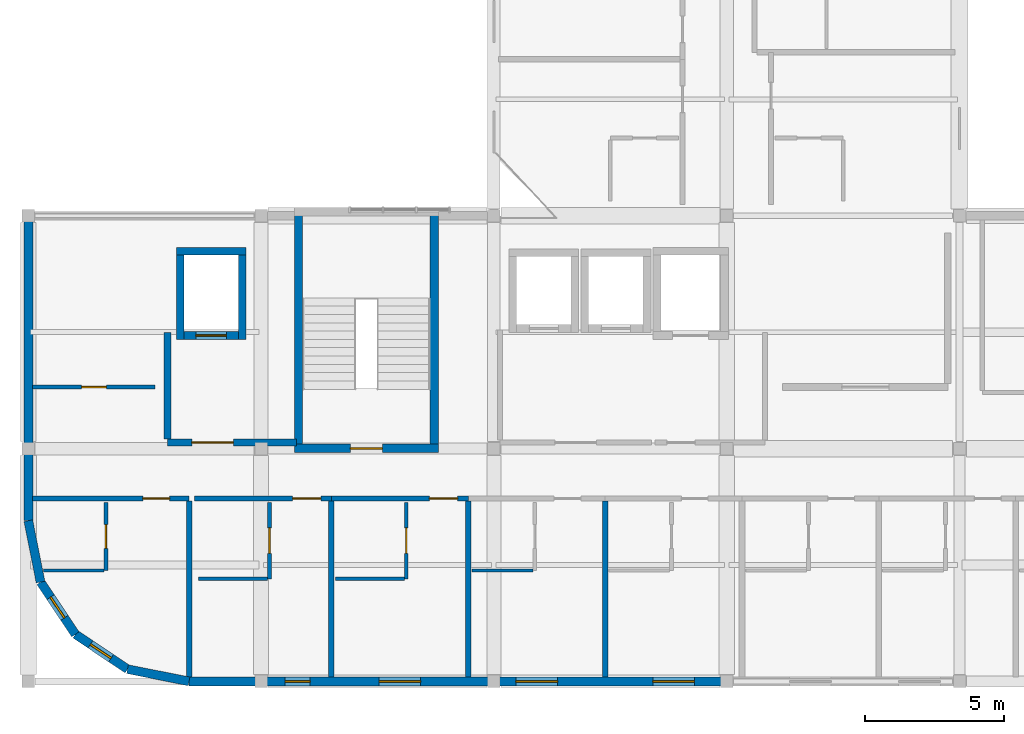
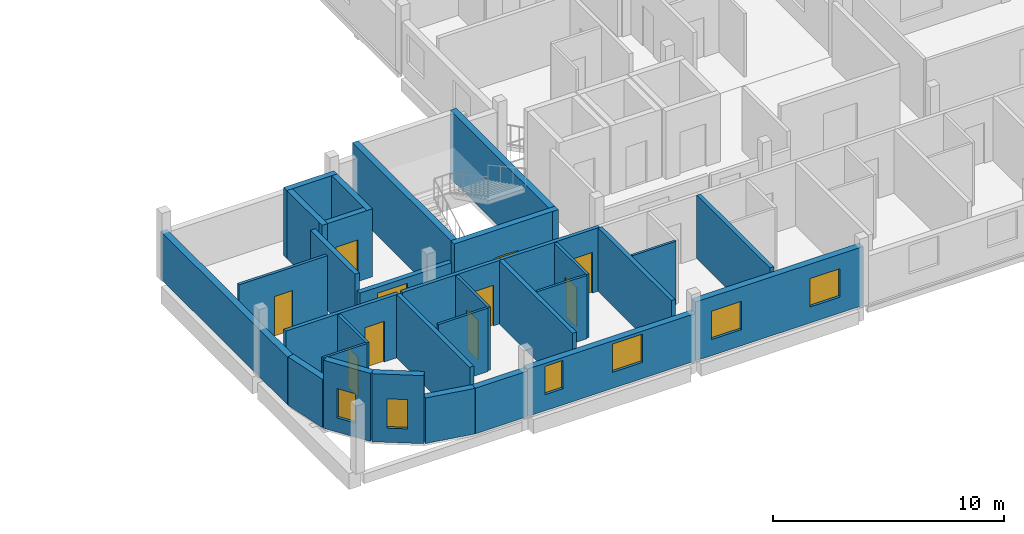
# One storey, part 9 of 19: 32 walls, 10 doors, 6 windows, 16 openings.
"""IFC4 building model written with IfcOpenShell, lengths in metres."""

from ifc_helpers import new_model, si_unit, derived_unit, direction, frame, frame_2d, origin, place, context, subcontext, project, spatial, rectangle, extrude, material, layer, layer_set, type_object, element, fill, save


model = new_model("IFC4")

# Units and contexts
model_context = context("Model", 3, precision=1e-05, world=origin(), true_north=direction((0.0, 1.0)))
body_context = subcontext(model_context, "Body", "Model", "MODEL_VIEW")
ifc_project = project(units=[si_unit("LENGTHUNIT", "METRE"), si_unit("AREAUNIT", "SQUARE_METRE"), si_unit("VOLUMEUNIT", "CUBIC_METRE"), si_unit("PLANEANGLEUNIT", "RADIAN"), si_unit("MASSUNIT", "GRAM", prefix="KILO"), derived_unit("THERMALTRANSMITTANCEUNIT", [(si_unit("POWERUNIT", "WATT"), 1), (si_unit("LENGTHUNIT", "METRE"), -2), (si_unit("THERMODYNAMICTEMPERATUREUNIT", "KELVIN"), -1)])], contexts=[model_context])

# Site, building, storey
site_placement = place(None, origin())
site = spatial("IfcSite", under=ifc_project, at=site_placement, CompositionType="ELEMENT")
building_placement = place(site_placement, origin())
building = spatial("IfcBuilding", under=site, at=building_placement, Name="Barrovel Congress Hotel", CompositionType="ELEMENT")
storey_placement = place(building_placement, frame((0.0, 0.0, 43.5)))
storey = spatial("IfcBuildingStorey", under=building, at=storey_placement, Name="L11", CompositionType="ELEMENT", Elevation=43.5)

# Wall
ifc_material_1 = material(Name="Fired Clay Brick Masonry", Category="masonry")
ifc_layer_1 = layer(ifc_material_1, 0.320068359375)
ifc_layer_set_1 = layer_set([ifc_layer_1], Name="Fired Clay Brick Masonry")
wall_type_1 = type_object("IfcWallType", Name="EW-BRK320", PredefinedType="STANDARD", material=ifc_layer_set_1)
wall_1_placement = place(storey_placement, frame((16.800048828125, 10.0, 0.0), z_axis=(0.0, 0.0, 1.0), x_axis=(0.195057908159, -0.980791727363, 0.0)))
element("IfcWall", 1, at=wall_1_placement, inside=storey, type_object=wall_type_1, Name="EW:L11:PROW-1", PredefinedType="STANDARD", context=body_context, shape_type="SweptSolid", body=[
    extrude(rectangle(XDim=2.262939453125, YDim=0.320068359375, at=frame_2d((1.13134765625, 0.0))), origin(), (0.0, 0.0, 1.0), 2.56005859375),
])

# Wall, opening, window
wall_2_placement = place(storey_placement, frame((17.241455078125, 7.780517578125, 0.0), z_axis=(0.0, 0.0, 1.0), x_axis=(0.555546297918, -0.831485604728, 0.0)))
wall_2 = element("IfcWall", 2, at=wall_2_placement, inside=storey, type_object=wall_type_1, Name="EW:L11:PROW-2", PredefinedType="STANDARD", context=body_context, shape_type="SweptSolid", body=[
    extrude(rectangle(XDim=2.26318359375, YDim=0.320068359375, at=frame_2d((1.131591796875, 0.0))), origin(), (0.0, 0.0, 1.0), 3.60009765625),
])
opening_1_placement = place(wall_2_placement, frame((0.64990234375, 0.0, 0.75)))
opening_1 = element("IfcOpeningElement", 3, at=opening_1_placement, cuts=wall_2, Name="Opening WN-11", PredefinedType="OPENING", context=body_context, shape_type="SweptSolid", body=[
    extrude(rectangle(XDim=0.89990234375, YDim=1.550048828125, at=frame_2d((0.449951171875, 0.77490234375))), frame((0.0, 0.169921875, 0.0), z_axis=(0.0, -1.0, 0.0), x_axis=(1.0, 0.0, 0.0)), (0.0, 0.0, 1.0), 0.340087890625),
])
ifc_material_2 = material(Name="Double Low-E Insulated Glazing", Category="glass")
window_type_1 = type_object("IfcWindowType", Name="WIN-WN-11", PartitioningType="SINGLE_PANEL", PredefinedType="WINDOW", material=ifc_material_2)
window_1_placement = place(opening_1_placement, origin())
window_1 = element("IfcWindow", 4, at=window_1_placement, inside=storey, type_object=window_type_1, Name="WIN:L11:PROW-2", OverallHeight=1.550048828125, OverallWidth=0.89990234375, PartitioningType="SINGLE_PANEL", PredefinedType="WINDOW", context=body_context, shape_type="SweptSolid", body=[
    extrude(rectangle(XDim=0.89990234375, YDim=1.550048828125, at=frame_2d((0.449951171875, 0.77490234375))), frame((0.0, 0.030029296875, 0.0), z_axis=(0.0, -1.0, 0.0), x_axis=(1.0, 0.0, 0.0)), (0.0, 0.0, 1.0), 0.06005859375),
])
fill(opening_1, window_1)

wall_3_placement = place(storey_placement, frame((18.498779296875, 5.898681640625, 0.0), z_axis=(0.0, 0.0, 1.0), x_axis=(0.831502143458, -0.555521543618, 0.0)))
wall_3 = element("IfcWall", 5, at=wall_3_placement, inside=storey, type_object=wall_type_1, Name="EW:L11:PROW-3", PredefinedType="STANDARD", context=body_context, shape_type="SweptSolid", body=[
    extrude(rectangle(XDim=2.262939453125, YDim=0.320068359375, at=frame_2d((1.13134765625, 0.0))), origin(), (0.0, 0.0, 1.0), 3.60009765625),
])
opening_2_placement = place(wall_3_placement, frame((0.64990234375, 0.0, 0.75)))
opening_2 = element("IfcOpeningElement", 6, at=opening_2_placement, cuts=wall_3, Name="Opening WN-11", PredefinedType="OPENING", context=body_context, shape_type="SweptSolid", body=[
    extrude(rectangle(XDim=0.89990234375, YDim=1.550048828125, at=frame_2d((0.449951171875, 0.77490234375))), frame((0.0, 0.169921875, 0.0), z_axis=(0.0, -1.0, 0.0), x_axis=(1.0, 0.0, 0.0)), (0.0, 0.0, 1.0), 0.340087890625),
])
window_2_placement = place(opening_2_placement, origin())
window_2 = element("IfcWindow", 7, at=window_2_placement, inside=storey, type_object=window_type_1, Name="WIN:L11:PROW-3", OverallHeight=1.550048828125, OverallWidth=0.89990234375, PartitioningType="SINGLE_PANEL", PredefinedType="WINDOW", context=body_context, shape_type="SweptSolid", body=[
    extrude(rectangle(XDim=0.89990234375, YDim=1.550048828125, at=frame_2d((0.449951171875, 0.77490234375))), frame((0.0, 0.030029296875, 0.0), z_axis=(0.0, -1.0, 0.0), x_axis=(1.0, 0.0, 0.0)), (0.0, 0.0, 1.0), 0.06005859375),
])
fill(opening_2, window_2)

# Walls
wall_4_placement = place(storey_placement, frame((20.38037109375, 4.6416015625, 0.0), z_axis=(0.0, 0.0, 1.0), x_axis=(0.98077519094, -0.195141038321, 0.0)))
element("IfcWall", 8, at=wall_4_placement, inside=storey, type_object=wall_type_1, Name="EW:L11:PROW-4", PredefinedType="STANDARD", context=body_context, shape_type="SweptSolid", body=[
    extrude(rectangle(XDim=2.26318359375, YDim=0.320068359375, at=frame_2d((1.131591796875, 0.0))), origin(), (0.0, 0.0, 1.0), 2.409912109375),
])
wall_5_placement = place(storey_placement, frame((16.800048828125, 21.0, 0.0), z_axis=(0.0, 0.0, 1.0), x_axis=(0.0, -1.0, 0.0)))
element("IfcWall", 9, at=wall_5_placement, inside=storey, type_object=wall_type_1, Name="EW:L11:HS-SW", PredefinedType="STANDARD", context=body_context, shape_type="SweptSolid", body=[
    extrude(rectangle(XDim=11.0, YDim=0.320068359375, at=frame_2d((5.5, 0.0))), origin(), (0.0, 0.0, 1.0), 2.510009765625),
])
wall_6_placement = place(storey_placement, frame((22.60009765625, 4.199951171875, 0.0), z_axis=(0.0, 0.0, 1.0), x_axis=(1.0, 0.0, 0.0)))
element("IfcWall", 10, at=wall_6_placement, inside=storey, type_object=wall_type_1, Name="EW:L11:HS-S:P01", PredefinedType="STANDARD", context=body_context, shape_type="SweptSolid", body=[
    extrude(rectangle(XDim=2.599853515625, YDim=0.320068359375, at=frame_2d((1.2998046875, 0.0))), origin(), (0.0, 0.0, 1.0), 2.409912109375),
])

# Wall, openings, windows
wall_7_placement = place(storey_placement, frame((25.199951171875, 4.199951171875, 0.0), z_axis=(0.0, 0.0, 1.0), x_axis=(1.0, 0.0, 0.0)))
wall_7 = element("IfcWall", 11, at=wall_7_placement, inside=storey, type_object=wall_type_1, Name="EW:L11:HS-S:P02", PredefinedType="STANDARD", context=body_context, shape_type="SweptSolid", body=[
    extrude(rectangle(XDim=8.400146484375, YDim=0.320068359375, at=frame_2d((4.2001953125, 0.0))), origin(), (0.0, 0.0, 1.0), 2.510009765625),
])
opening_3_placement = place(wall_7_placement, frame((0.868896484375, 0.0, 0.85009765625)))
opening_3 = element("IfcOpeningElement", 12, at=opening_3_placement, cuts=wall_7, Name="Opening WN-11", PredefinedType="OPENING", context=body_context, shape_type="SweptSolid", body=[
    extrude(rectangle(XDim=0.89990234375, YDim=1.5, at=frame_2d((0.449951171875, 0.75))), frame((0.0, 0.169921875, 0.0), z_axis=(0.0, -1.0, 0.0), x_axis=(1.0, 0.0, 0.0)), (0.0, 0.0, 1.0), 0.340087890625),
])
opening_4_placement = place(wall_7_placement, frame((4.256103515625, 0.0, 0.85009765625)))
opening_4 = element("IfcOpeningElement", 13, at=opening_4_placement, cuts=wall_7, Name="Opening WN-07", PredefinedType="OPENING", context=body_context, shape_type="SweptSolid", body=[
    extrude(rectangle(XDim=1.5, YDim=1.5, at=frame_2d((0.75, 0.75))), frame((0.0, 0.169921875, 0.0), z_axis=(0.0, -1.0, 0.0), x_axis=(1.0, 0.0, 0.0)), (0.0, 0.0, 1.0), 0.340087890625),
])
window_type_2 = type_object("IfcWindowType", Name="WIN-WN-07", PartitioningType="SINGLE_PANEL", PredefinedType="WINDOW", material=ifc_material_2)
window_3_placement = place(opening_4_placement, origin())
window_3 = element("IfcWindow", 14, at=window_3_placement, inside=storey, type_object=window_type_2, Name="WIN:L11:U03", OverallHeight=1.5, OverallWidth=1.5, PartitioningType="SINGLE_PANEL", PredefinedType="WINDOW", context=body_context, shape_type="SweptSolid", body=[
    extrude(rectangle(XDim=1.5, YDim=1.5, at=frame_2d((0.75, 0.75))), frame((0.0, 0.030029296875, 0.0), z_axis=(0.0, -1.0, 0.0), x_axis=(1.0, 0.0, 0.0)), (0.0, 0.0, 1.0), 0.06005859375),
])
fill(opening_4, window_3)
window_4_placement = place(opening_3_placement, origin())
window_4 = element("IfcWindow", 15, at=window_4_placement, inside=storey, type_object=window_type_1, Name="WIN:L11:U02", OverallHeight=1.5, OverallWidth=0.89990234375, PartitioningType="SINGLE_PANEL", PredefinedType="WINDOW", context=body_context, shape_type="SweptSolid", body=[
    extrude(rectangle(XDim=0.89990234375, YDim=1.5, at=frame_2d((0.449951171875, 0.75))), frame((0.0, 0.030029296875, 0.0), z_axis=(0.0, -1.0, 0.0), x_axis=(1.0, 0.0, 0.0)), (0.0, 0.0, 1.0), 0.06005859375),
])
fill(opening_3, window_4)

wall_8_placement = place(storey_placement, frame((33.60009765625, 4.199951171875, 0.0), z_axis=(0.0, 0.0, 1.0), x_axis=(1.0, 0.0, 0.0)))
wall_8 = element("IfcWall", 16, at=wall_8_placement, inside=storey, type_object=wall_type_1, Name="EW:L11:HS-S:P03", PredefinedType="STANDARD", context=body_context, shape_type="SweptSolid", body=[
    extrude(rectangle(XDim=8.39990234375, YDim=0.320068359375, at=frame_2d((4.199951171875, 0.0))), origin(), (0.0, 0.0, 1.0), 3.113037109375),
])
opening_5_placement = place(wall_8_placement, frame((0.793701171875, 0.0, 0.85009765625)))
opening_5 = element("IfcOpeningElement", 17, at=opening_5_placement, cuts=wall_8, Name="Opening WN-07", PredefinedType="OPENING", context=body_context, shape_type="SweptSolid", body=[
    extrude(rectangle(XDim=1.5, YDim=1.5, at=frame_2d((0.75, 0.75))), frame((0.0, 0.169921875, 0.0), z_axis=(0.0, -1.0, 0.0), x_axis=(1.0, 0.0, 0.0)), (0.0, 0.0, 1.0), 0.340087890625),
])
opening_6_placement = place(wall_8_placement, frame((5.731201171875, 0.0, 0.85009765625)))
opening_6 = element("IfcOpeningElement", 18, at=opening_6_placement, cuts=wall_8, Name="Opening WN-07", PredefinedType="OPENING", context=body_context, shape_type="SweptSolid", body=[
    extrude(rectangle(XDim=1.5, YDim=1.5, at=frame_2d((0.75, 0.75))), frame((0.0, 0.169921875, 0.0), z_axis=(0.0, -1.0, 0.0), x_axis=(1.0, 0.0, 0.0)), (0.0, 0.0, 1.0), 0.340087890625),
])
window_5_placement = place(opening_5_placement, origin())
window_5 = element("IfcWindow", 19, at=window_5_placement, inside=storey, type_object=window_type_2, Name="WIN:L11:U04", OverallHeight=1.5, OverallWidth=1.5, PartitioningType="SINGLE_PANEL", PredefinedType="WINDOW", context=body_context, shape_type="SweptSolid", body=[
    extrude(rectangle(XDim=1.5, YDim=1.5, at=frame_2d((0.75, 0.75))), frame((0.0, 0.030029296875, 0.0), z_axis=(0.0, -1.0, 0.0), x_axis=(1.0, 0.0, 0.0)), (0.0, 0.0, 1.0), 0.06005859375),
])
fill(opening_5, window_5)
window_6_placement = place(opening_6_placement, origin())
window_6 = element("IfcWindow", 20, at=window_6_placement, inside=storey, type_object=window_type_2, Name="WIN:L11:U05", OverallHeight=1.5, OverallWidth=1.5, PartitioningType="SINGLE_PANEL", PredefinedType="WINDOW", context=body_context, shape_type="SweptSolid", body=[
    extrude(rectangle(XDim=1.5, YDim=1.5, at=frame_2d((0.75, 0.75))), frame((0.0, 0.030029296875, 0.0), z_axis=(0.0, -1.0, 0.0), x_axis=(1.0, 0.0, 0.0)), (0.0, 0.0, 1.0), 0.06005859375),
])
fill(opening_6, window_6)

# Wall, opening, door
ifc_material_3 = material(Name="Gypsum Acoustic Stud", Category="gypsum")
ifc_layer_2 = layer(ifc_material_3, 0.179931640625)
ifc_layer_set_2 = layer_set([ifc_layer_2], Name="Gypsum Acoustic Stud")
wall_type_2 = type_object("IfcWallType", Name="PW-ACU-180", PredefinedType="PARTITIONING", material=ifc_layer_set_2)
wall_9_placement = place(storey_placement, frame((16.9599609375, 10.800048828125, 0.0), z_axis=(0.0, 0.0, 1.0), x_axis=(1.0, 0.0, 0.0)))
wall_9 = element("IfcWall", 21, at=wall_9_placement, inside=storey, type_object=wall_type_2, Name="PW:L11:U01:COR", PredefinedType="PARTITIONING", context=body_context, shape_type="SweptSolid", body=[
    extrude(rectangle(XDim=5.64013671875, YDim=0.179931640625, at=frame_2d((2.820068359375, 0.0))), origin(), (0.0, 0.0, 1.0), 3.35498046875),
])
opening_7_placement = place(wall_9_placement, frame((3.97509765625, 0.0, 0.0)))
opening_7 = element("IfcOpeningElement", 22, at=opening_7_placement, cuts=wall_9, Name="Opening ID-HTL", PredefinedType="OPENING", context=body_context, shape_type="SweptSolid", body=[
    extrude(rectangle(XDim=0.9599609375, YDim=2.14990234375, at=frame_2d((0.47998046875, 1.074951171875))), frame((0.0, 0.10009765625, 0.0), z_axis=(0.0, -1.0, 0.0), x_axis=(1.0, 0.0, 0.0)), (0.0, 0.0, 1.0), 0.199951171875),
])
ifc_material_4 = material(Name="Solid Oak Acoustic Timber Door", Category="wood")
door_type_1 = type_object("IfcDoorType", Name="IDR-ID-HTL", OperationType="NOTDEFINED", PredefinedType="DOOR", material=ifc_material_4)
door_1_placement = place(opening_7_placement, origin())
door_1 = element("IfcDoor", 23, at=door_1_placement, inside=storey, type_object=door_type_1, Name="DR:L11:U01:ENT", OperationType="SINGLE_SWING_RIGHT", OverallHeight=2.14990234375, OverallWidth=0.9599609375, PredefinedType="DOOR", context=body_context, shape_type="SweptSolid", body=[
    extrude(rectangle(XDim=0.9599609375, YDim=2.14990234375, at=frame_2d((0.47998046875, 1.074951171875))), frame((0.0, 0.02490234375, 0.0), z_axis=(0.0, -1.0, 0.0), x_axis=(1.0, 0.0, 0.0)), (0.0, 0.0, 1.0), 0.050048828125),
])
fill(opening_7, door_1)

wall_10_placement = place(storey_placement, frame((22.800048828125, 10.800048828125, 0.0), z_axis=(0.0, 0.0, 1.0), x_axis=(1.0, 0.0, 0.0)))
wall_10 = element("IfcWall", 24, at=wall_10_placement, inside=storey, type_object=wall_type_2, Name="PW:L11:U02:COR", PredefinedType="PARTITIONING", context=body_context, shape_type="SweptSolid", body=[
    extrude(rectangle(XDim=4.9375, YDim=0.179931640625, at=frame_2d((2.46875, 0.0))), origin(), (0.0, 0.0, 1.0), 3.35498046875),
])
opening_8_placement = place(wall_10_placement, frame((3.5322265625, 0.0, 0.0)))
opening_8 = element("IfcOpeningElement", 25, at=opening_8_placement, cuts=wall_10, Name="Opening ID-ACC", PredefinedType="OPENING", context=body_context, shape_type="SweptSolid", body=[
    extrude(rectangle(XDim=1.02001953125, YDim=2.14990234375, at=frame_2d((0.510009765625, 1.074951171875))), frame((0.0, 0.10009765625, 0.0), z_axis=(0.0, -1.0, 0.0), x_axis=(1.0, 0.0, 0.0)), (0.0, 0.0, 1.0), 0.199951171875),
])
door_type_2 = type_object("IfcDoorType", Name="IDR-ID-ACC", OperationType="NOTDEFINED", PredefinedType="DOOR", material=ifc_material_4)
door_2_placement = place(opening_8_placement, origin())
door_2 = element("IfcDoor", 26, at=door_2_placement, inside=storey, type_object=door_type_2, Name="DR:L11:U02:ENT", OperationType="SINGLE_SWING_RIGHT", OverallHeight=2.14990234375, OverallWidth=1.02001953125, PredefinedType="DOOR", context=body_context, shape_type="SweptSolid", body=[
    extrude(rectangle(XDim=1.02001953125, YDim=2.14990234375, at=frame_2d((0.510009765625, 1.074951171875))), frame((0.0, 0.02490234375, 0.0), z_axis=(0.0, -1.0, 0.0), x_axis=(1.0, 0.0, 0.0)), (0.0, 0.0, 1.0), 0.050048828125),
])
fill(opening_8, door_2)

wall_11_placement = place(storey_placement, frame((27.737548828125, 10.800048828125, 0.0), z_axis=(0.0, 0.0, 1.0), x_axis=(1.0, 0.0, 0.0)))
wall_11 = element("IfcWall", 27, at=wall_11_placement, inside=storey, type_object=wall_type_2, Name="PW:L11:U03:COR", PredefinedType="PARTITIONING", context=body_context, shape_type="SweptSolid", body=[
    extrude(rectangle(XDim=4.9375, YDim=0.179931640625, at=frame_2d((2.46875, 0.0))), origin(), (0.0, 0.0, 1.0), 3.35498046875),
])
opening_9_placement = place(wall_11_placement, frame((3.5322265625, 0.0, 0.0)))
opening_9 = element("IfcOpeningElement", 28, at=opening_9_placement, cuts=wall_11, Name="Opening ID-ACC", PredefinedType="OPENING", context=body_context, shape_type="SweptSolid", body=[
    extrude(rectangle(XDim=1.02001953125, YDim=2.14990234375, at=frame_2d((0.510009765625, 1.074951171875))), frame((0.0, 0.10009765625, 0.0), z_axis=(0.0, -1.0, 0.0), x_axis=(1.0, 0.0, 0.0)), (0.0, 0.0, 1.0), 0.199951171875),
])
door_3_placement = place(opening_9_placement, origin())
door_3 = element("IfcDoor", 29, at=door_3_placement, inside=storey, type_object=door_type_2, Name="DR:L11:U03:ENT", OperationType="SINGLE_SWING_RIGHT", OverallHeight=2.14990234375, OverallWidth=1.02001953125, PredefinedType="DOOR", context=body_context, shape_type="SweptSolid", body=[
    extrude(rectangle(XDim=1.02001953125, YDim=2.14990234375, at=frame_2d((0.510009765625, 1.074951171875))), frame((0.0, 0.02490234375, 0.0), z_axis=(0.0, -1.0, 0.0), x_axis=(1.0, 0.0, 0.0)), (0.0, 0.0, 1.0), 0.050048828125),
])
fill(opening_9, door_3)

# Walls
ifc_layer_3 = layer(ifc_material_3, 0.1201171875)
ifc_layer_set_3 = layer_set([ifc_layer_3], Name="Gypsum Acoustic Stud")
wall_type_3 = type_object("IfcWallType", Name="PW-INT-120", PredefinedType="PARTITIONING", material=ifc_layer_set_3)
wall_12_placement = place(storey_placement, frame((17.340087890625, 8.199951171875, 0.0), z_axis=(0.0, 0.0, 1.0), x_axis=(1.0, 0.0, 0.0)))
element("IfcWall", 30, at=wall_12_placement, inside=storey, type_object=wall_type_3, Name="PW:L11:U01:B2", PredefinedType="PARTITIONING", context=body_context, shape_type="SweptSolid", body=[
    extrude(rectangle(XDim=2.18994140625, YDim=0.1201171875, at=frame_2d((1.094970703125, 0.0))), origin(), (0.0, 0.0, 1.0), 3.35498046875),
])
for number, where, z_axis, x_axis, name in (
    (31, (22.93994140625, 7.89990234375, 0.0), (0.0, 0.0, 1.0), (1.0, 0.0, 0.0), "PW:L11:U02:B2"),
    (32, (27.87744140625, 7.89990234375, 0.0), (0.0, 0.0, 1.0), (1.0, 0.0, 0.0), "PW:L11:U03:B2"),
):
    element("IfcWall", number, at=place(storey_placement, frame(where, z_axis=z_axis, x_axis=x_axis)), inside=storey, type_object=wall_type_3, Name=name, PredefinedType="PARTITIONING", context=body_context, shape_type="SweptSolid", body=[
        extrude(rectangle(XDim=2.489990234375, YDim=0.1201171875, at=frame_2d((1.2451171875, 0.0))), origin(), (0.0, 0.0, 1.0), 3.35498046875),
    ])
wall_13_placement = place(storey_placement, frame((32.81494140625, 8.199951171875, 0.0), z_axis=(0.0, 0.0, 1.0), x_axis=(1.0, 0.0, 0.0)))
element("IfcWall", 33, at=wall_13_placement, inside=storey, type_object=wall_type_3, Name="PW:L11:U04:B2", PredefinedType="PARTITIONING", context=body_context, shape_type="SweptSolid", body=[
    extrude(rectangle(XDim=2.18994140625, YDim=0.1201171875, at=frame_2d((1.094970703125, 0.0))), origin(), (0.0, 0.0, 1.0), 3.35498046875),
])
ifc_layer_4 = layer(ifc_material_1, 0.199951171875)
ifc_layer_set_4 = layer_set([ifc_layer_4], Name="Fired Clay Brick Masonry")
wall_type_4 = type_object("IfcWallType", Name="PW-MAS-200", PredefinedType="PARTITIONING", material=ifc_layer_set_4)
for number, where, z_axis, x_axis, name in (
    (34, (22.60009765625, 4.360107421875, 0.0), (0.0, 0.0, 1.0), (0.0, 1.0, 0.0), "PW:L11:U01:DEM"),
    (35, (27.737548828125, 4.360107421875, 0.0), (0.0, 0.0, 1.0), (0.0, 1.0, 0.0), "PW:L11:U02:DEM"),
    (36, (32.675048828125, 4.360107421875, 0.0), (0.0, 0.0, 1.0), (0.0, 1.0, 0.0), "PW:L11:U03:DEM"),
    (37, (37.612548828125, 4.360107421875, 0.0), (0.0, 0.0, 1.0), (0.0, 1.0, 0.0), "PW:L11:U04:DEM"),
):
    element("IfcWall", number, at=place(storey_placement, frame(where, z_axis=z_axis, x_axis=x_axis)), inside=storey, type_object=wall_type_4, Name=name, PredefinedType="PARTITIONING", context=body_context, shape_type="SweptSolid", body=[
        extrude(rectangle(XDim=6.349853515625, YDim=0.199951171875, at=frame_2d((3.1748046875, 0.0))), origin(), (0.0, 0.0, 1.0), 3.35498046875),
    ])

# Wall, opening, door
ifc_layer_5 = layer(ifc_material_1, 0.239990234375)
ifc_layer_set_5 = layer_set([ifc_layer_5], Name="Fired Clay Brick Masonry")
wall_type_5 = type_object("IfcWallType", Name="PW-MAS-240", PredefinedType="PARTITIONING", material=ifc_layer_set_5)
wall_14_placement = place(storey_placement, frame((21.820068359375, 12.820068359375, 0.0), z_axis=(0.0, 0.0, 1.0), x_axis=(1.0, 0.0, 0.0)))
wall_14 = element("IfcWall", 38, at=wall_14_placement, inside=storey, type_object=wall_type_5, Name="RW:SP:L11:FFL-1:S", PredefinedType="PARTITIONING", context=body_context, shape_type="SweptSolid", body=[
    extrude(rectangle(XDim=4.659912109375, YDim=0.239990234375, at=frame_2d((2.330078125, 0.0))), origin(), (0.0, 0.0, 1.0), 2.4599609375),
])
opening_10_placement = place(wall_14_placement, frame((0.8798828125, 0.0, 0.0)))
opening_10 = element("IfcOpeningElement", 39, at=opening_10_placement, cuts=wall_14, Name="Opening ID-FFL", PredefinedType="OPENING", context=body_context, shape_type="SweptSolid", body=[
    extrude(rectangle(XDim=1.5, YDim=2.14990234375, at=frame_2d((0.75, 1.074951171875))), frame((0.0, 0.1298828125, 0.0), z_axis=(0.0, -1.0, 0.0), x_axis=(1.0, 0.0, 0.0)), (0.0, 0.0, 1.0), 0.260009765625),
])
ifc_material_5 = material(Name="Painted Hollow-Metal Steel Door", Category="steel")
door_type_3 = type_object("IfcDoorType", Name="IDR-ID-FFL", OperationType="NOTDEFINED", PredefinedType="DOOR", material=ifc_material_5)
door_4_placement = place(opening_10_placement, origin())
door_4 = element("IfcDoor", 40, at=door_4_placement, inside=storey, type_object=door_type_3, Name="RD:SP:L11:FFL-1", OperationType="DOUBLE_DOOR_SINGLE_SWING", OverallHeight=2.14990234375, OverallWidth=1.5, PredefinedType="DOOR", context=body_context, shape_type="SweptSolid", body=[
    extrude(rectangle(XDim=1.5, YDim=2.14990234375, at=frame_2d((0.75, 1.074951171875))), frame((0.0, 0.02490234375, 0.0), z_axis=(0.0, -1.0, 0.0), x_axis=(1.0, 0.0, 0.0)), (0.0, 0.0, 1.0), 0.050048828125),
])
fill(opening_10, door_4)

# Wall
wall_15_placement = place(storey_placement, frame((21.820068359375, 12.93994140625, 0.0), z_axis=(0.0, 0.0, 1.0), x_axis=(0.0, 1.0, 0.0)))
element("IfcWall", 41, at=wall_15_placement, inside=storey, type_object=wall_type_5, Name="RW:SP:L11:FFL-1:W", PredefinedType="PARTITIONING", context=body_context, shape_type="SweptSolid", body=[
    extrude(rectangle(XDim=3.840087890625, YDim=0.239990234375, at=frame_2d((1.919921875, 0.0))), origin(), (0.0, 0.0, 1.0), 3.35498046875),
])

# Wall, opening, door
ifc_material_6 = material(Name="Gypsum Moisture Board", Category="gypsum")
ifc_layer_6 = layer(ifc_material_6, 0.139892578125)
ifc_layer_set_6 = layer_set([ifc_layer_6], Name="Gypsum Moisture Board")
wall_type_6 = type_object("IfcWallType", Name="PW-WET-140", PredefinedType="PARTITIONING", material=ifc_layer_set_6)
wall_16_placement = place(storey_placement, frame((19.60009765625, 8.199951171875, 0.0), z_axis=(0.0, 0.0, 1.0), x_axis=(0.0, 1.0, 0.0)))
wall_16 = element("IfcWall", 42, at=wall_16_placement, inside=storey, type_object=wall_type_6, Name="PW:L11:U01:B1", PredefinedType="PARTITIONING", context=body_context, shape_type="SweptSolid", body=[
    extrude(rectangle(XDim=2.4599609375, YDim=0.139892578125, at=frame_2d((1.22998046875, 0.0))), origin(), (0.0, 0.0, 1.0), 3.35498046875),
])
opening_11_placement = place(wall_16_placement, frame((0.800048828125, 0.0, 0.0)))
opening_11 = element("IfcOpeningElement", 43, at=opening_11_placement, cuts=wall_16, Name="Opening ID-ENS", PredefinedType="OPENING", context=body_context, shape_type="SweptSolid", body=[
    extrude(rectangle(XDim=0.860107421875, YDim=2.10009765625, at=frame_2d((0.43017578125, 1.050048828125))), frame((0.0, 0.080078125, 0.0), z_axis=(0.0, -1.0, 0.0), x_axis=(1.0, 0.0, 0.0)), (0.0, 0.0, 1.0), 0.159912109375),
])
ifc_material_7 = material(Name="Lacquered Timber Moisture Door", Category="wood")
door_type_4 = type_object("IfcDoorType", Name="IDR-ID-ENS", OperationType="NOTDEFINED", PredefinedType="DOOR", material=ifc_material_7)
door_5_placement = place(opening_11_placement, origin())
door_5 = element("IfcDoor", 44, at=door_5_placement, inside=storey, type_object=door_type_4, Name="DR:L11:U01:ENS", OperationType="SINGLE_SWING_LEFT", OverallHeight=2.10009765625, OverallWidth=0.860107421875, PredefinedType="DOOR", context=body_context, shape_type="SweptSolid", body=[
    extrude(rectangle(XDim=0.860107421875, YDim=2.10009765625, at=frame_2d((0.43017578125, 1.050048828125))), frame((0.0, 0.02490234375, 0.0), z_axis=(0.0, -1.0, 0.0), x_axis=(1.0, 0.0, 0.0)), (0.0, 0.0, 1.0), 0.050048828125),
])
fill(opening_11, door_5)

wall_17_placement = place(storey_placement, frame((25.5, 7.89990234375, 0.0), z_axis=(0.0, 0.0, 1.0), x_axis=(0.0, 1.0, 0.0)))
wall_17 = element("IfcWall", 45, at=wall_17_placement, inside=storey, type_object=wall_type_6, Name="PW:L11:U02:B1", PredefinedType="PARTITIONING", context=body_context, shape_type="SweptSolid", body=[
    extrude(rectangle(XDim=2.760009765625, YDim=0.139892578125, at=frame_2d((1.3798828125, 0.0))), origin(), (0.0, 0.0, 1.0), 3.35498046875),
])
opening_12_placement = place(wall_17_placement, frame((0.919921875, 0.0, 0.0)))
opening_12 = element("IfcOpeningElement", 46, at=opening_12_placement, cuts=wall_17, Name="Opening ID-EA2", PredefinedType="OPENING", context=body_context, shape_type="SweptSolid", body=[
    extrude(rectangle(XDim=0.919921875, YDim=2.10009765625, at=frame_2d((0.4599609375, 1.050048828125))), frame((0.0, 0.080078125, 0.0), z_axis=(0.0, -1.0, 0.0), x_axis=(1.0, 0.0, 0.0)), (0.0, 0.0, 1.0), 0.159912109375),
])
door_type_5 = type_object("IfcDoorType", Name="IDR-ID-EA2", OperationType="NOTDEFINED", PredefinedType="DOOR", material=ifc_material_7)
door_6_placement = place(opening_12_placement, origin())
door_6 = element("IfcDoor", 47, at=door_6_placement, inside=storey, type_object=door_type_5, Name="DR:L11:U02:ENS", OperationType="SINGLE_SWING_LEFT", OverallHeight=2.10009765625, OverallWidth=0.919921875, PredefinedType="DOOR", context=body_context, shape_type="SweptSolid", body=[
    extrude(rectangle(XDim=0.919921875, YDim=2.10009765625, at=frame_2d((0.4599609375, 1.050048828125))), frame((0.0, 0.02490234375, 0.0), z_axis=(0.0, -1.0, 0.0), x_axis=(1.0, 0.0, 0.0)), (0.0, 0.0, 1.0), 0.050048828125),
])
fill(opening_12, door_6)

wall_18_placement = place(storey_placement, frame((30.4375, 7.89990234375, 0.0), z_axis=(0.0, 0.0, 1.0), x_axis=(0.0, 1.0, 0.0)))
wall_18 = element("IfcWall", 48, at=wall_18_placement, inside=storey, type_object=wall_type_6, Name="PW:L11:U03:B1", PredefinedType="PARTITIONING", context=body_context, shape_type="SweptSolid", body=[
    extrude(rectangle(XDim=2.760009765625, YDim=0.139892578125, at=frame_2d((1.3798828125, 0.0))), origin(), (0.0, 0.0, 1.0), 3.35498046875),
])
opening_13_placement = place(wall_18_placement, frame((0.919921875, 0.0, 0.0)))
opening_13 = element("IfcOpeningElement", 49, at=opening_13_placement, cuts=wall_18, Name="Opening ID-EA2", PredefinedType="OPENING", context=body_context, shape_type="SweptSolid", body=[
    extrude(rectangle(XDim=0.919921875, YDim=2.10009765625, at=frame_2d((0.4599609375, 1.050048828125))), frame((0.0, 0.080078125, 0.0), z_axis=(0.0, -1.0, 0.0), x_axis=(1.0, 0.0, 0.0)), (0.0, 0.0, 1.0), 0.159912109375),
])
door_7_placement = place(opening_13_placement, origin())
door_7 = element("IfcDoor", 50, at=door_7_placement, inside=storey, type_object=door_type_5, Name="DR:L11:U03:ENS", OperationType="SINGLE_SWING_LEFT", OverallHeight=2.10009765625, OverallWidth=0.919921875, PredefinedType="DOOR", context=body_context, shape_type="SweptSolid", body=[
    extrude(rectangle(XDim=0.919921875, YDim=2.10009765625, at=frame_2d((0.4599609375, 1.050048828125))), frame((0.0, 0.02490234375, 0.0), z_axis=(0.0, -1.0, 0.0), x_axis=(1.0, 0.0, 0.0)), (0.0, 0.0, 1.0), 0.050048828125),
])
fill(opening_13, door_7)

wall_19_placement = place(storey_placement, frame((16.9599609375, 14.820068359375, 0.0), z_axis=(0.0, 0.0, 1.0), x_axis=(1.0, 0.0, 0.0)))
wall_19 = element("IfcWall", 51, at=wall_19_placement, inside=storey, type_object=wall_type_6, Name="RW:SP:L11:HKP:S", PredefinedType="PARTITIONING", context=body_context, shape_type="SweptSolid", body=[
    extrude(rectangle(XDim=4.419921875, YDim=0.139892578125, at=frame_2d((2.2099609375, 0.0))), origin(), (0.0, 0.0, 1.0), 3.35498046875),
])
opening_14_placement = place(wall_19_placement, frame((1.760009765625, 0.0, 0.0)))
opening_14 = element("IfcOpeningElement", 52, at=opening_14_placement, cuts=wall_19, Name="Opening ID-WC1", PredefinedType="OPENING", context=body_context, shape_type="SweptSolid", body=[
    extrude(rectangle(XDim=0.89990234375, YDim=2.1201171875, at=frame_2d((0.449951171875, 1.06005859375))), frame((0.0, 0.080078125, 0.0), z_axis=(0.0, -1.0, 0.0), x_axis=(1.0, 0.0, 0.0)), (0.0, 0.0, 1.0), 0.159912109375),
])
door_type_6 = type_object("IfcDoorType", Name="IDR-ID-WC1", OperationType="NOTDEFINED", PredefinedType="DOOR", material=ifc_material_7)
door_8_placement = place(opening_14_placement, origin())
door_8 = element("IfcDoor", 53, at=door_8_placement, inside=storey, type_object=door_type_6, Name="RD:SP:L11:HKP", OperationType="SINGLE_SWING_RIGHT", OverallHeight=2.1201171875, OverallWidth=0.89990234375, PredefinedType="DOOR", context=body_context, shape_type="SweptSolid", body=[
    extrude(rectangle(XDim=0.89990234375, YDim=2.1201171875, at=frame_2d((0.449951171875, 1.06005859375))), frame((0.0, 0.02490234375, 0.0), z_axis=(0.0, -1.0, 0.0), x_axis=(1.0, 0.0, 0.0)), (0.0, 0.0, 1.0), 0.050048828125),
])
fill(opening_14, door_8)

ifc_material_8 = material(Name="Concrete C40", Category="concrete")
ifc_layer_7 = layer(ifc_material_8, 0.280029296875)
ifc_layer_set_7 = layer_set([ifc_layer_7], Name="Concrete C40")
wall_type_7 = type_object("IfcWallType", Name="SW-C40-280", PredefinedType="SHEAR", material=ifc_layer_set_7)
wall_20_placement = place(storey_placement, frame((22.139892578125, 16.679931640625, 0.0), z_axis=(0.0, 0.0, 1.0), x_axis=(1.0, 0.0, 0.0)))
wall_20 = element("IfcWall", 54, at=wall_20_placement, inside=storey, type_object=wall_type_7, Name="LSH:FL-1:L11:S", PredefinedType="SHEAR", context=body_context, shape_type="SweptSolid", body=[
    extrude(rectangle(XDim=2.52001953125, YDim=0.280029296875, at=frame_2d((1.260009765625, 0.0))), origin(), (0.0, 0.0, 1.0), 3.60009765625),
])
opening_15_placement = place(wall_20_placement, frame((0.7099609375, 0.0, 0.0)))
opening_15 = element("IfcOpeningElement", 55, at=opening_15_placement, cuts=wall_20, Name="Opening LD-FF", PredefinedType="OPENING", context=body_context, shape_type="SweptSolid", body=[
    extrude(rectangle(XDim=1.10009765625, YDim=2.199951171875, at=frame_2d((0.550048828125, 1.10009765625))), frame((0.0, 0.14990234375, 0.0), z_axis=(0.0, -1.0, 0.0), x_axis=(1.0, 0.0, 0.0)), (0.0, 0.0, 1.0), 0.300048828125),
])
ifc_material_9 = material(Name="Brushed Stainless Steel", Category="steel")
door_type_7 = type_object("IfcDoorType", Name="IDR-LD-FF", OperationType="NOTDEFINED", PredefinedType="DOOR", material=ifc_material_9)
door_9_placement = place(opening_15_placement, origin())
door_9 = element("IfcDoor", 56, at=door_9_placement, inside=storey, type_object=door_type_7, Name="Lift Landing Door LD-FL-1-L11", OperationType="SLIDING_TO_LEFT", OverallHeight=2.199951171875, OverallWidth=1.10009765625, PredefinedType="DOOR", context=body_context, shape_type="SweptSolid", body=[
    extrude(rectangle(XDim=1.10009765625, YDim=2.199951171875, at=frame_2d((0.550048828125, 1.10009765625))), frame((0.0, 0.02490234375, 0.0), z_axis=(0.0, -1.0, 0.0), x_axis=(1.0, 0.0, 0.0)), (0.0, 0.0, 1.0), 0.050048828125),
])
fill(opening_15, door_9)

# Walls
wall_21_placement = place(storey_placement, frame((24.52001953125, 16.5400390625, 0.0), z_axis=(0.0, 0.0, 1.0), x_axis=(0.0, 1.0, 0.0)))
element("IfcWall", 57, at=wall_21_placement, inside=storey, type_object=wall_type_7, Name="LSH:FL-1:L11:E", PredefinedType="SHEAR", context=body_context, shape_type="SweptSolid", body=[
    extrude(rectangle(XDim=3.320068359375, YDim=0.280029296875, at=frame_2d((1.66015625, 0.0))), origin(), (0.0, 0.0, 1.0), 3.60009765625),
])
wall_22_placement = place(storey_placement, frame((24.659912109375, 19.719970703125, 0.0), z_axis=(0.0, 0.0, 1.0), x_axis=(-1.0, 0.0, 0.0)))
element("IfcWall", 58, at=wall_22_placement, inside=storey, type_object=wall_type_7, Name="LSH:FL-1:L11:N", PredefinedType="SHEAR", context=body_context, shape_type="SweptSolid", body=[
    extrude(rectangle(XDim=2.52001953125, YDim=0.280029296875, at=frame_2d((1.260009765625, 0.0))), origin(), (0.0, 0.0, 1.0), 3.60009765625),
])
wall_23_placement = place(storey_placement, frame((22.280029296875, 19.860107421875, 0.0), z_axis=(0.0, 0.0, 1.0), x_axis=(0.0, -1.0, 0.0)))
element("IfcWall", 59, at=wall_23_placement, inside=storey, type_object=wall_type_7, Name="LSH:FL-1:L11:W", PredefinedType="SHEAR", context=body_context, shape_type="SweptSolid", body=[
    extrude(rectangle(XDim=3.320068359375, YDim=0.280029296875, at=frame_2d((1.66015625, 0.0))), origin(), (0.0, 0.0, 1.0), 3.60009765625),
])

# Wall, opening, door
ifc_layer_8 = layer(ifc_material_8, 0.300048828125)
ifc_layer_set_8 = layer_set([ifc_layer_8], Name="Concrete C40")
wall_type_8 = type_object("IfcWallType", Name="SW-C40-300", PredefinedType="SHEAR", material=ifc_layer_set_8)
wall_24_placement = place(storey_placement, frame((26.39990234375, 12.610107421875, 0.0), z_axis=(0.0, 0.0, 1.0), x_axis=(1.0, 0.0, 0.0)))
wall_24 = element("IfcWall", 60, at=wall_24_placement, inside=storey, type_object=wall_type_8, Name="SHW:XS-01:L11:S", PredefinedType="SHEAR", context=body_context, shape_type="SweptSolid", body=[
    extrude(rectangle(XDim=5.2001953125, YDim=0.300048828125, at=frame_2d((2.60009765625, 0.0))), origin(), (0.0, 0.0, 1.0), 3.60009765625),
])
opening_16_placement = place(wall_24_placement, frame((2.02490234375, 0.0, 0.0)))
opening_16 = element("IfcOpeningElement", 61, at=opening_16_placement, cuts=wall_24, Name="Opening ID-ST1", PredefinedType="OPENING", context=body_context, shape_type="SweptSolid", body=[
    extrude(rectangle(XDim=1.14990234375, YDim=2.14990234375, at=frame_2d((0.574951171875, 1.074951171875))), frame((0.0, 0.16015625, 0.0), z_axis=(0.0, -1.0, 0.0), x_axis=(1.0, 0.0, 0.0)), (0.0, 0.0, 1.0), 0.320068359375),
])
door_type_8 = type_object("IfcDoorType", Name="IDR-ID-ST1", OperationType="NOTDEFINED", PredefinedType="DOOR", material=ifc_material_5)
door_10_placement = place(opening_16_placement, origin())
door_10 = element("IfcDoor", 62, at=door_10_placement, inside=storey, type_object=door_type_8, Name="Stair Core Fire Door XS-01-L11", OperationType="SINGLE_SWING_LEFT", OverallHeight=2.14990234375, OverallWidth=1.14990234375, PredefinedType="DOOR", context=body_context, shape_type="SweptSolid", body=[
    extrude(rectangle(XDim=1.14990234375, YDim=2.14990234375, at=frame_2d((0.574951171875, 1.074951171875))), frame((0.0, 0.02490234375, 0.0), z_axis=(0.0, -1.0, 0.0), x_axis=(1.0, 0.0, 0.0)), (0.0, 0.0, 1.0), 0.050048828125),
])
fill(opening_16, door_10)

# Walls
for number, where, z_axis, x_axis, name in (
    (63, (31.449951171875, 12.4599609375, 0.0), (0.0, 0.0, 1.0), (0.0, 1.0, 0.0), "SHW:XS-01:L11:E"),
    (64, (26.550048828125, 21.300048828125, 0.0), (0.0, 0.0, 1.0), (0.0, -1.0, 0.0), "SHW:XS-01:L11:W"),
):
    element("IfcWall", number, at=place(storey_placement, frame(where, z_axis=z_axis, x_axis=x_axis)), inside=storey, type_object=wall_type_8, Name=name, PredefinedType="SHEAR", context=body_context, shape_type="SweptSolid", body=[
        extrude(rectangle(XDim=8.840087890625, YDim=0.300048828125, at=frame_2d((4.419921875, 0.0))), origin(), (0.0, 0.0, 1.0), 3.60009765625),
    ])

save(model, "model.ifc")
